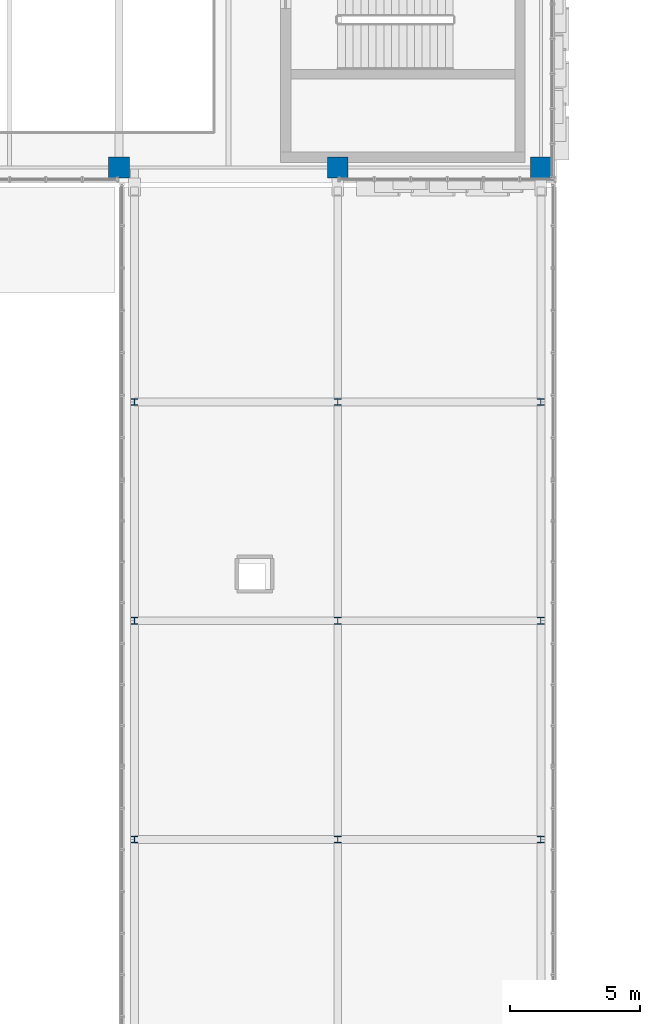
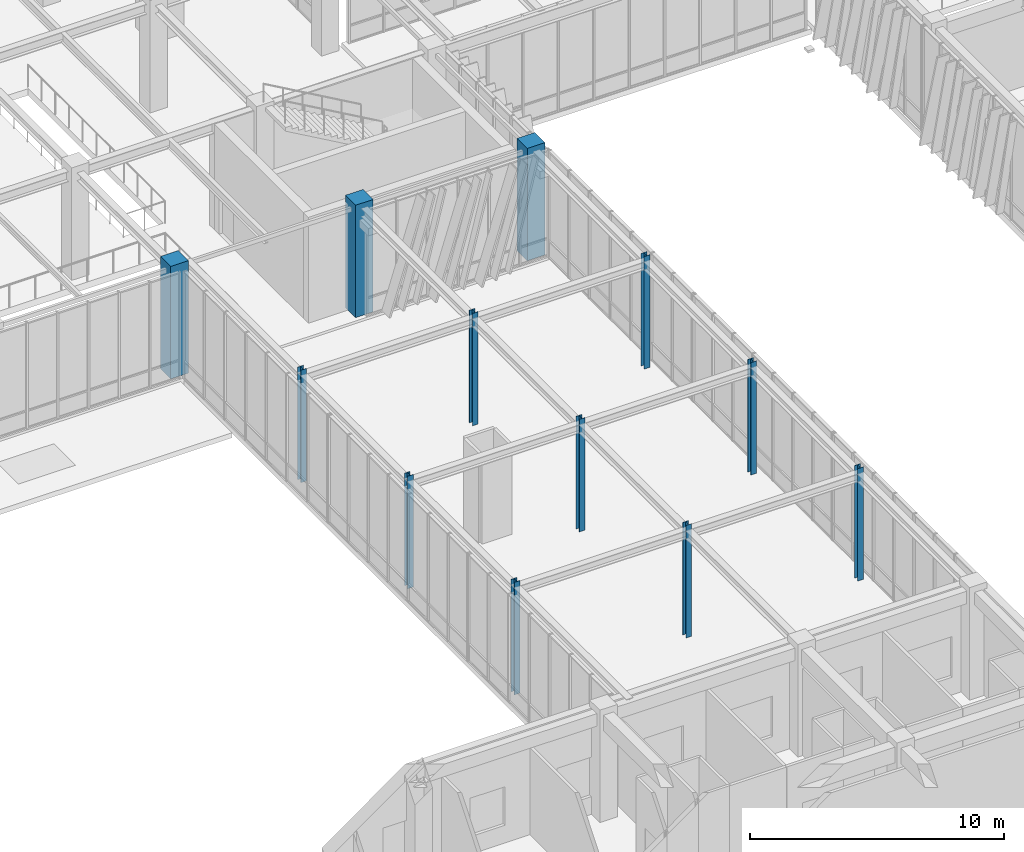
# One storey, part 2 of 139: 12 columns.
"""IFC4 building model written with IfcOpenShell, lengths in metres."""

from ifc_helpers import new_model, si_unit, direction, frame, origin, origin_2d, place, context, subcontext, project, spatial, rectangle, i_section, extrude, material, material_profile, profile_set, type_object, element, save


model = new_model("IFC4")

# Units and contexts
model_context = context("Model", 3, precision=1e-05, world=origin(), true_north=direction((0.0, 1.0)))
body_context = subcontext(model_context, "Body", "Model", "MODEL_VIEW")
ifc_project = project(units=[si_unit("LENGTHUNIT", "METRE"), si_unit("AREAUNIT", "SQUARE_METRE"), si_unit("VOLUMEUNIT", "CUBIC_METRE"), si_unit("PLANEANGLEUNIT", "RADIAN"), si_unit("MASSUNIT", "GRAM", prefix="KILO")], contexts=[model_context])

# Site, building, storey
site_placement = place(None, origin())
site = spatial("IfcSite", under=ifc_project, at=site_placement, CompositionType="ELEMENT")
building_placement = place(site_placement, origin())
building = spatial("IfcBuilding", under=site, at=building_placement, Name="Zayran Congress Hotel", CompositionType="ELEMENT")
storey_placement = place(building_placement, frame((0.0, 0.0, 5.39990234375)))
storey = spatial("IfcBuildingStorey", under=building, at=storey_placement, Name="L01", CompositionType="ELEMENT", Elevation=5.39990234375)

# Columns
ifc_material_1 = material(Name="Concrete C40/50", Category="concrete")
ifc_material_profile_1 = material_profile(ifc_material_1, rectangle(XDim=0.800048828125, YDim=0.800048828125, at=origin_2d()), Name="RC 800x800")
ifc_profile_set_1 = profile_set([ifc_material_profile_1], Name="Concrete C40/50")
column_type_1 = type_object("IfcColumnType", Name="TP-CL-02", PredefinedType="COLUMN", material=ifc_profile_set_1)
for number, where, z_axis, x_axis, name in (
    (1, (75.60009765625, 68.199951171875, 0.0), (0.0, 0.0, 1.0), (1.0, 0.0, 0.0), "COL-V1-L01-0366"),
    (2, (84.0, 68.199951171875, 0.0), (0.0, 0.0, 1.0), (1.0, 0.0, 0.0), "COL-V1-L01-0373"),
    (3, (91.800048828125, 68.199951171875, 0.0), (0.0, 0.0, 1.0), (1.0, 0.0, 0.0), "COL-V1-L01-0380"),
):
    element("IfcColumn", number, at=place(storey_placement, frame(where, z_axis=z_axis, x_axis=x_axis)), inside=storey, type_object=column_type_1, Name=name, PredefinedType="COLUMN", context=body_context, shape_type="SweptSolid", body=[
        extrude(rectangle(XDim=0.800048828125, YDim=0.800048828125, at=origin_2d()), origin(), (0.0, 0.0, 1.0), 5.400146484375),
    ])
ifc_material_2 = material(Name="Steel S355", Category="steel")
ifc_material_profile_2 = material_profile(ifc_material_2, i_section(OverallWidth=0.260009765625, OverallDepth=0.260009765625, WebThickness=0.010009765625, FlangeThickness=0.017578125, at=origin_2d()), Name="HEB 260")
ifc_profile_set_2 = profile_set([ifc_material_profile_2], Name="Steel S355")
column_type_2 = type_object("IfcColumnType", Name="TP-CL-09", PredefinedType="COLUMN", material=ifc_profile_set_2)
for number, where, z_axis, x_axis, name in (
    (4, (76.199951171875, 42.39990234375, 0.0), (0.0, 0.0, 1.0), (1.0, 0.0, 0.0), "COL-BR2-L01-1389"),
    (5, (76.199951171875, 50.800048828125, 0.0), (0.0, 0.0, 1.0), (1.0, 0.0, 0.0), "COL-BR2-L01-1390"),
    (6, (76.199951171875, 59.199951171875, 0.0), (0.0, 0.0, 1.0), (1.0, 0.0, 0.0), "COL-BR2-L01-1391"),
    (7, (84.0, 42.39990234375, 0.0), (0.0, 0.0, 1.0), (1.0, 0.0, 0.0), "COL-BR2-L01-1392"),
    (8, (84.0, 50.800048828125, 0.0), (0.0, 0.0, 1.0), (1.0, 0.0, 0.0), "COL-BR2-L01-1393"),
    (9, (84.0, 59.199951171875, 0.0), (0.0, 0.0, 1.0), (1.0, 0.0, 0.0), "COL-BR2-L01-1394"),
    (10, (91.800048828125, 42.39990234375, 0.0), (0.0, 0.0, 1.0), (1.0, 0.0, 0.0), "COL-BR2-L01-1395"),
    (11, (91.800048828125, 50.800048828125, 0.0), (0.0, 0.0, 1.0), (1.0, 0.0, 0.0), "COL-BR2-L01-1396"),
    (12, (91.800048828125, 59.199951171875, 0.0), (0.0, 0.0, 1.0), (1.0, 0.0, 0.0), "COL-BR2-L01-1397"),
):
    element("IfcColumn", number, at=place(storey_placement, frame(where, z_axis=z_axis, x_axis=x_axis)), inside=storey, type_object=column_type_2, Name=name, PredefinedType="COLUMN", context=body_context, shape_type="SweptSolid", body=[
        extrude(i_section(OverallWidth=0.260009765625, OverallDepth=0.260009765625, WebThickness=0.010009765625, FlangeThickness=0.017578125, at=origin_2d()), origin(), (0.0, 0.0, 1.0), 5.400146484375),
    ])

save(model, "model.ifc")
